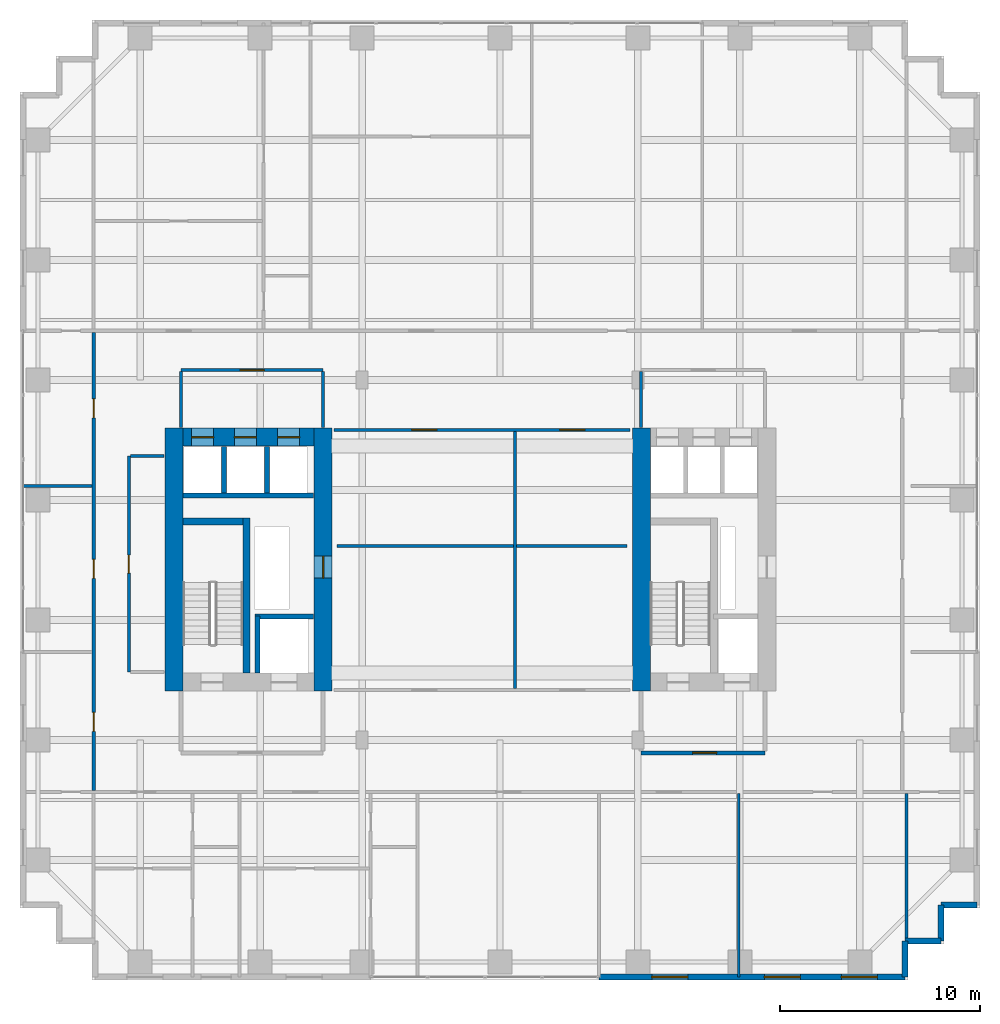
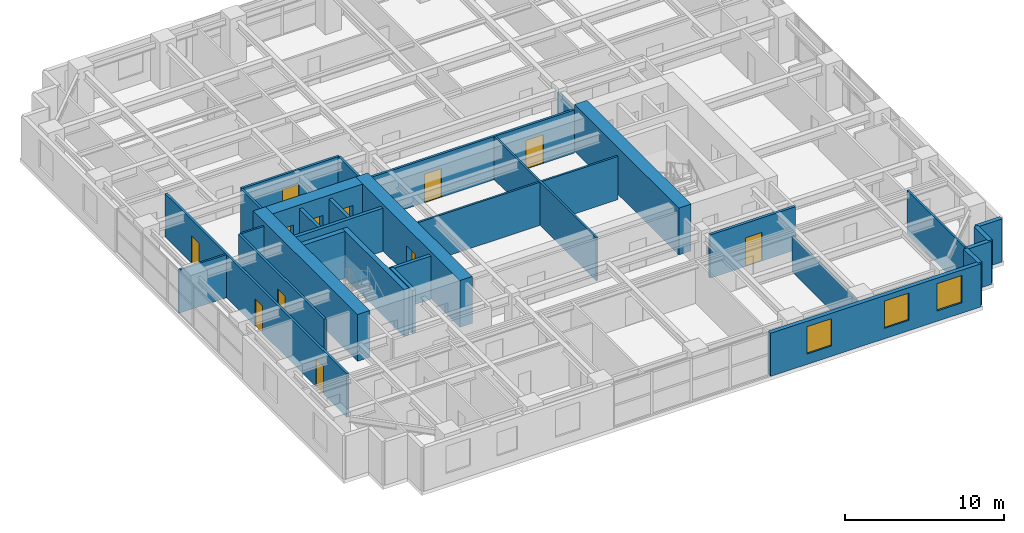
# One storey, part 21 of 24: 30 walls, 12 doors, 3 windows, 15 openings.
"""IFC4 building model written with IfcOpenShell, lengths in metres."""

from ifc_helpers import new_model, si_unit, direction, frame, frame_2d, origin, place, context, subcontext, project, spatial, rectangle, extrude, source, transform, mapped, material, layer, layer_set, type_object, element, fill, save


model = new_model("IFC4")

# Units and contexts
model_context = context("Model", 3, precision=1e-05, world=origin(), true_north=direction((0.0, 1.0)))
body_context = subcontext(model_context, "Body", "Model", "MODEL_VIEW")
ifc_project = project(units=[si_unit("LENGTHUNIT", "METRE"), si_unit("AREAUNIT", "SQUARE_METRE"), si_unit("VOLUMEUNIT", "CUBIC_METRE"), si_unit("PLANEANGLEUNIT", "RADIAN"), si_unit("MASSUNIT", "GRAM", prefix="KILO")], contexts=[model_context])

# Site, building, storey
site_placement = place(None, origin())
site = spatial("IfcSite", under=ifc_project, at=site_placement, CompositionType="ELEMENT")
building_placement = place(site_placement, origin())
building = spatial("IfcBuilding", under=site, at=building_placement, Name="Khoralis Quay Care Tower", CompositionType="ELEMENT")
storey_placement = place(building_placement, frame((0.0, 0.0, 62.10009765625)))
storey = spatial("IfcBuildingStorey", under=building, at=storey_placement, Name="L16", CompositionType="ELEMENT", Elevation=62.10009765625)

# Wall, opening, door
ifc_material_1 = material(Name="Gypsum plasterboard on acoustic metal stud")
ifc_layer_1 = layer(ifc_material_1, 0.199951171875)
ifc_layer_set_1 = layer_set([ifc_layer_1], Name="Gypsum plasterboard on acoustic metal stud")
wall_type_1 = type_object("IfcWallType", Name="WL-COMP-200", PredefinedType="PARTITIONING", material=ifc_layer_set_1)
wall_1_placement = place(storey_placement, frame((31.050048828125, 11.35009765625, 0.0), z_axis=(0.0, 0.0, 1.0), x_axis=(1.0, 0.0, 0.0)))
wall_1 = element("IfcWall", 1, at=wall_1_placement, inside=storey, type_object=wall_type_1, Name="L16 East Firefighting Lobby South Wall", PredefinedType="PARTITIONING", context=body_context, shape_type="SweptSolid", body=[
    extrude(rectangle(XDim=6.199951171875, YDim=0.199951171875, at=frame_2d((3.10009765625, 0.0))), origin(), (0.0, 0.0, 1.0), 3.31982421875),
])
opening_1_placement = place(wall_1_placement, frame((2.585693359375, 0.0, 0.0)))
opening_1 = element("IfcOpeningElement", 2, at=opening_1_placement, cuts=wall_1, Name="Opening FD1", PredefinedType="OPENING", context=body_context, shape_type="SweptSolid", body=[
    extrude(rectangle(XDim=1.199951171875, YDim=2.199951171875, at=frame_2d((0.60009765625, 1.10009765625))), frame((0.0, 0.10986328125, 0.0), z_axis=(0.0, -1.0, 0.0), x_axis=(1.0, 0.0, 0.0)), (0.0, 0.0, 1.0), 0.219970703125),
])
ifc_material_2 = material(Name="Fire-rated painted steel", Category="steel")
door_type_1 = type_object("IfcDoorType", Name="DR-FFL-1200X2200", OperationType="NOTDEFINED", PredefinedType="DOOR", material=ifc_material_2)
shared_shape_1 = source(origin(), body_context, "Body", "SweptSolid", [
    extrude(rectangle(XDim=1.199951171875, YDim=2.199951171875, at=frame_2d((0.60009765625, 1.10009765625))), frame((0.0, 0.02490234375, 0.0), z_axis=(0.0, -1.0, 0.0), x_axis=(1.0, 0.0, 0.0)), (0.0, 0.0, 1.0), 0.050048828125),
])
door_1_placement = place(opening_1_placement, origin())
door_1 = element("IfcDoor", 3, at=door_1_placement, inside=storey, type_object=door_type_1, Name="L16 East Firefighting Lobby Fire Door", OperationType="SINGLE_SWING_LEFT", OverallHeight=2.199951171875, OverallWidth=1.199951171875, PredefinedType="DOOR", context=body_context, shape_type="MappedRepresentation", body=[
    mapped(shared_shape_1, transform((0.0, 0.0, 0.0), scale=1.0)),
])
fill(opening_1, door_1)

# Wall
ifc_material_3 = material(Name="Concrete C80/95", Category="concrete")
ifc_layer_2 = layer(ifc_material_3, 0.89990234375)
ifc_layer_set_2 = layer_set([ifc_layer_2], Name="Concrete C80/95")
wall_type_2 = type_object("IfcWallType", Name="WL-CORE-900", PredefinedType="SHEAR", material=ifc_layer_set_2)
wall_2_placement = place(storey_placement, frame((7.699951171875, 14.449951171875, 0.0), z_axis=(0.0, 0.0, 1.0), x_axis=(0.0, 1.0, 0.0)))
element("IfcWall", 4, at=wall_2_placement, inside=storey, type_object=wall_type_2, Name="L16 WCORE West Shear Wall", PredefinedType="SHEAR", context=body_context, shape_type="SweptSolid", body=[
    extrude(rectangle(XDim=13.150146484375, YDim=0.89990234375, at=frame_2d((6.5751953125, 0.0))), origin(), (0.0, 0.0, 1.0), 3.599853515625),
])

# Wall, opening, door
wall_3_placement = place(storey_placement, frame((15.14990234375, 14.449951171875, 0.0), z_axis=(0.0, 0.0, 1.0), x_axis=(0.0, 1.0, 0.0)))
wall_3 = element("IfcWall", 5, at=wall_3_placement, inside=storey, type_object=wall_type_2, Name="L16 WCORE East Shear Wall", PredefinedType="SHEAR", context=body_context, shape_type="SweptSolid", body=[
    extrude(rectangle(XDim=13.150146484375, YDim=0.89990234375, at=frame_2d((6.5751953125, 0.0))), origin(), (0.0, 0.0, 1.0), 3.599853515625),
])
opening_2_placement = place(wall_3_placement, frame((5.64990234375, 0.0, 0.0)))
opening_2 = element("IfcOpeningElement", 6, at=opening_2_placement, cuts=wall_3, Name="Opening SD1", PredefinedType="OPENING", context=body_context, shape_type="SweptSolid", body=[
    extrude(rectangle(XDim=1.10009765625, YDim=2.199951171875, at=frame_2d((0.550048828125, 1.10009765625))), frame((0.0, 0.4599609375, 0.0), z_axis=(0.0, -1.0, 0.0), x_axis=(1.0, 0.0, 0.0)), (0.0, 0.0, 1.0), 0.919921875),
])
door_type_2 = type_object("IfcDoorType", Name="DR-STAIR-1100X2200", OperationType="NOTDEFINED", PredefinedType="DOOR", material=ifc_material_2)
shared_shape_2 = source(origin(), body_context, "Body", "SweptSolid", [
    extrude(rectangle(XDim=1.10009765625, YDim=2.199951171875, at=frame_2d((0.550048828125, 1.10009765625))), frame((0.0, 0.02490234375, 0.0), z_axis=(0.0, -1.0, 0.0), x_axis=(1.0, 0.0, 0.0)), (0.0, 0.0, 1.0), 0.050048828125),
])
door_2_placement = place(opening_2_placement, origin())
door_2 = element("IfcDoor", 7, at=door_2_placement, inside=storey, type_object=door_type_2, Name="L16 West MEP Riser Door", OperationType="SINGLE_SWING_RIGHT", OverallHeight=2.199951171875, OverallWidth=1.10009765625, PredefinedType="DOOR", context=body_context, shape_type="MappedRepresentation", body=[
    mapped(shared_shape_2, transform((0.0, 0.0, 0.0), scale=1.0)),
])
fill(opening_2, door_2)

# Wall, openings, doors
wall_4_placement = place(storey_placement, frame((8.14990234375, 27.14990234375, 0.0), z_axis=(0.0, 0.0, 1.0), x_axis=(1.0, 0.0, 0.0)))
wall_4 = element("IfcWall", 8, at=wall_4_placement, inside=storey, type_object=wall_type_2, Name="L16 WCORE North Shear Wall", PredefinedType="SHEAR", context=body_context, shape_type="SweptSolid", body=[
    extrude(rectangle(XDim=6.550048828125, YDim=0.89990234375, at=frame_2d((3.27490234375, 0.0))), origin(), (0.0, 0.0, 1.0), 3.599853515625),
])
opening_3_placement = place(wall_4_placement, frame((0.429931640625, 0.0, 0.0)))
opening_3 = element("IfcOpeningElement", 9, at=opening_3_placement, cuts=wall_4, Name="Opening LD1", PredefinedType="OPENING", context=body_context, shape_type="SweptSolid", body=[
    extrude(rectangle(XDim=1.10009765625, YDim=2.199951171875, at=frame_2d((0.550048828125, 1.10009765625))), frame((0.0, 0.4599609375, 0.0), z_axis=(0.0, -1.0, 0.0), x_axis=(1.0, 0.0, 0.0)), (0.0, 0.0, 1.0), 0.919921875),
])
opening_4_placement = place(wall_4_placement, frame((2.570068359375, 0.0, 0.0)))
opening_4 = element("IfcOpeningElement", 10, at=opening_4_placement, cuts=wall_4, Name="Opening LD1", PredefinedType="OPENING", context=body_context, shape_type="SweptSolid", body=[
    extrude(rectangle(XDim=1.10009765625, YDim=2.199951171875, at=frame_2d((0.550048828125, 1.10009765625))), frame((0.0, 0.4599609375, 0.0), z_axis=(0.0, -1.0, 0.0), x_axis=(1.0, 0.0, 0.0)), (0.0, 0.0, 1.0), 0.919921875),
])
opening_5_placement = place(wall_4_placement, frame((4.72998046875, 0.0, 0.0)))
opening_5 = element("IfcOpeningElement", 11, at=opening_5_placement, cuts=wall_4, Name="Opening LD1", PredefinedType="OPENING", context=body_context, shape_type="SweptSolid", body=[
    extrude(rectangle(XDim=1.10009765625, YDim=2.199951171875, at=frame_2d((0.550048828125, 1.10009765625))), frame((0.0, 0.4599609375, 0.0), z_axis=(0.0, -1.0, 0.0), x_axis=(1.0, 0.0, 0.0)), (0.0, 0.0, 1.0), 0.919921875),
])
ifc_material_4 = material(Name="Brushed stainless steel", Category="steel")
door_type_3 = type_object("IfcDoorType", Name="DR-LIFT-1100X2200", OperationType="SLIDING_TO_LEFT", PredefinedType="DOOR", material=ifc_material_4)
shared_shape_3 = source(origin(), body_context, "Body", "SweptSolid", [
    extrude(rectangle(XDim=1.10009765625, YDim=2.199951171875, at=frame_2d((0.550048828125, 1.10009765625))), frame((0.0, 0.02490234375, 0.0), z_axis=(0.0, -1.0, 0.0), x_axis=(1.0, 0.0, 0.0)), (0.0, 0.0, 1.0), 0.050048828125),
])
door_3_placement = place(opening_3_placement, origin())
door_3 = element("IfcDoor", 12, at=door_3_placement, inside=storey, type_object=door_type_3, Name="L16 Lift PLL1 Landing Door", OperationType="SLIDING_TO_LEFT", OverallHeight=2.199951171875, OverallWidth=1.10009765625, PredefinedType="DOOR", context=body_context, shape_type="MappedRepresentation", body=[
    mapped(shared_shape_3, transform((0.0, 0.0, 0.0), scale=1.0)),
])
fill(opening_3, door_3)
door_4_placement = place(opening_4_placement, origin())
door_4 = element("IfcDoor", 13, at=door_4_placement, inside=storey, type_object=door_type_3, Name="L16 Lift PLM1 Landing Door", OperationType="SLIDING_TO_LEFT", OverallHeight=2.199951171875, OverallWidth=1.10009765625, PredefinedType="DOOR", context=body_context, shape_type="MappedRepresentation", body=[
    mapped(shared_shape_3, transform((0.0, 0.0, 0.0), scale=1.0)),
])
fill(opening_4, door_4)
door_5_placement = place(opening_5_placement, origin())
door_5 = element("IfcDoor", 14, at=door_5_placement, inside=storey, type_object=door_type_3, Name="L16 Lift PLH1 Landing Door", OperationType="SLIDING_TO_LEFT", OverallHeight=2.199951171875, OverallWidth=1.10009765625, PredefinedType="DOOR", context=body_context, shape_type="MappedRepresentation", body=[
    mapped(shared_shape_3, transform((0.0, 0.0, 0.0), scale=1.0)),
])
fill(opening_5, door_5)

# Wall
wall_5_placement = place(storey_placement, frame((31.070068359375, 14.449951171875, 0.0), z_axis=(0.0, 0.0, 1.0), x_axis=(0.0, 1.0, 0.0)))
element("IfcWall", 15, at=wall_5_placement, inside=storey, type_object=wall_type_2, Name="L16 ECORE West Shear Wall", PredefinedType="SHEAR", context=body_context, shape_type="SweptSolid", body=[
    extrude(rectangle(XDim=13.150146484375, YDim=0.89990234375, at=frame_2d((6.5751953125, 0.0))), origin(), (0.0, 0.0, 1.0), 3.599853515625),
])

# Wall, opening, door
ifc_layer_3 = layer(ifc_material_1, 0.1650390625)
ifc_layer_set_3 = layer_set([ifc_layer_3], Name="Gypsum plasterboard on acoustic metal stud")
wall_type_3 = type_object("IfcWallType", Name="WL-CORR-165", PredefinedType="PARTITIONING", material=ifc_layer_set_3)
wall_6_placement = place(storey_placement, frame((8.050048828125, 30.5, 0.0), z_axis=(0.0, 0.0, 1.0), x_axis=(1.0, 0.0, 0.0)))
wall_6 = element("IfcWall", 16, at=wall_6_placement, inside=storey, type_object=wall_type_3, Name="L16 West Lift Lobby North Wall", PredefinedType="PARTITIONING", context=body_context, shape_type="SweptSolid", body=[
    extrude(rectangle(XDim=7.099853515625, YDim=0.1650390625, at=frame_2d((3.5498046875, 0.0))), origin(), (0.0, 0.0, 1.0), 3.31982421875),
])
opening_6_placement = place(wall_6_placement, frame((2.949951171875, 0.0, 0.0)))
opening_6 = element("IfcOpeningElement", 17, at=opening_6_placement, cuts=wall_6, Name="Opening FD1", PredefinedType="OPENING", context=body_context, shape_type="SweptSolid", body=[
    extrude(rectangle(XDim=1.199951171875, YDim=2.199951171875, at=frame_2d((0.60009765625, 1.10009765625))), frame((0.0, 0.092529296875, 0.0), z_axis=(0.0, -1.0, 0.0), x_axis=(1.0, 0.0, 0.0)), (0.0, 0.0, 1.0), 0.18505859375),
])
door_6_placement = place(opening_6_placement, origin())
door_6 = element("IfcDoor", 18, at=door_6_placement, inside=storey, type_object=door_type_1, Name="L16 West Lift Lobby Double Door", OperationType="DOUBLE_DOOR_SINGLE_SWING", OverallHeight=2.199951171875, OverallWidth=1.199951171875, PredefinedType="DOOR", context=body_context, shape_type="MappedRepresentation", body=[
    mapped(shared_shape_1, transform((0.0, 0.0, 0.0), scale=1.0)),
])
fill(opening_6, door_6)

# Walls
for number, where, z_axis, x_axis, name in (
    (19, (8.050048828125, 27.6201171875, 0.0), (0.0, 0.0, 1.0), (0.0, 1.0, 0.0), "L16 West Lift Lobby West Wall"),
    (20, (15.14990234375, 27.6201171875, 0.0), (0.0, 0.0, 1.0), (0.0, 1.0, 0.0), "L16 West Lift Lobby East Wall"),
):
    element("IfcWall", number, at=place(storey_placement, frame(where, z_axis=z_axis, x_axis=x_axis)), inside=storey, type_object=wall_type_3, Name=name, PredefinedType="PARTITIONING", context=body_context, shape_type="SweptSolid", body=[
        extrude(rectangle(XDim=2.802490234375, YDim=0.1650390625, at=frame_2d((1.4013671875, 0.0))), origin(), (0.0, 0.0, 1.0), 3.31982421875),
    ])
wall_7_placement = place(storey_placement, frame((31.050048828125, 27.6201171875, 0.0), z_axis=(0.0, 0.0, 1.0), x_axis=(0.0, 1.0, 0.0)))
element("IfcWall", 21, at=wall_7_placement, inside=storey, type_object=wall_type_3, Name="L16 East Lift Lobby West Wall", PredefinedType="PARTITIONING", context=body_context, shape_type="SweptSolid", body=[
    extrude(rectangle(XDim=2.802490234375, YDim=0.1650390625, at=frame_2d((1.4013671875, 0.0))), origin(), (0.0, 0.0, 1.0), 2.703857421875),
])

# Wall, opening, door
wall_8_placement = place(storey_placement, frame((5.449951171875, 15.39990234375, 0.0), z_axis=(0.0, 0.0, 1.0), x_axis=(0.0, 1.0, 0.0)))
wall_8 = element("IfcWall", 22, at=wall_8_placement, inside=storey, type_object=wall_type_3, Name="L16 West Core Service Flank Wall", PredefinedType="PARTITIONING", context=body_context, shape_type="SweptSolid", body=[
    extrude(rectangle(XDim=10.800048828125, YDim=0.1650390625, at=frame_2d((5.39990234375, 0.0))), origin(), (0.0, 0.0, 1.0), 3.31982421875),
])
opening_7_placement = place(wall_8_placement, frame((4.949951171875, 0.0, 0.0)))
opening_7 = element("IfcOpeningElement", 23, at=opening_7_placement, cuts=wall_8, Name="Opening WD1", PredefinedType="OPENING", context=body_context, shape_type="SweptSolid", body=[
    extrude(rectangle(XDim=0.89990234375, YDim=2.10009765625, at=frame_2d((0.449951171875, 1.050048828125))), frame((0.0, 0.092529296875, 0.0), z_axis=(0.0, -1.0, 0.0), x_axis=(1.0, 0.0, 0.0)), (0.0, 0.0, 1.0), 0.18505859375),
])
ifc_material_5 = material(Name="Acoustic hardwood timber", Category="wood")
door_type_4 = type_object("IfcDoorType", Name="DR-BATH-900X2100", OperationType="NOTDEFINED", PredefinedType="DOOR", material=ifc_material_5)
shared_shape_4 = source(origin(), body_context, "Body", "SweptSolid", [
    extrude(rectangle(XDim=0.89990234375, YDim=2.10009765625, at=frame_2d((0.449951171875, 1.050048828125))), frame((0.0, 0.02490234375, 0.0), z_axis=(0.0, -1.0, 0.0), x_axis=(1.0, 0.0, 0.0)), (0.0, 0.0, 1.0), 0.050048828125),
])
door_7_placement = place(opening_7_placement, frame((0.89990234375, 0.0, 0.0), z_axis=(0.0, 0.0, 1.0), x_axis=(-1.0, 0.0, 0.0)))
door_7 = element("IfcDoor", 24, at=door_7_placement, inside=storey, type_object=door_type_4, Name="L16 Housekeeping & Public Accessible WC Door", OperationType="SINGLE_SWING_LEFT", OverallHeight=2.10009765625, OverallWidth=0.89990234375, PredefinedType="DOOR", context=body_context, shape_type="MappedRepresentation", body=[
    mapped(shared_shape_4, transform((0.0, 0.0, 0.0), scale=1.0)),
])
fill(opening_7, door_7)

# Wall, openings, doors
wall_9_placement = place(storey_placement, frame((3.679931640625, 9.4775390625, 0.0), z_axis=(0.0, 0.0, 1.0), x_axis=(0.0, 1.0, 0.0)))
wall_9 = element("IfcWall", 25, at=wall_9_placement, inside=storey, type_object=wall_type_3, Name="L16 West Loop Corridor Wall", PredefinedType="PARTITIONING", context=body_context, shape_type="SweptSolid", body=[
    extrude(rectangle(XDim=22.905029296875, YDim=0.1650390625, at=frame_2d((11.45263671875, 0.0))), origin(), (0.0, 0.0, 1.0), 3.31982421875),
])
opening_8_placement = place(wall_9_placement, frame((2.947509765625, 0.0, 0.0)))
opening_8 = element("IfcOpeningElement", 26, at=opening_8_placement, cuts=wall_9, Name="Opening ID1", PredefinedType="OPENING", context=body_context, shape_type="SweptSolid", body=[
    extrude(rectangle(XDim=0.949951171875, YDim=2.10009765625, at=frame_2d((0.47509765625, 1.050048828125))), frame((0.0, 0.092529296875, 0.0), z_axis=(0.0, -1.0, 0.0), x_axis=(1.0, 0.0, 0.0)), (0.0, 0.0, 1.0), 0.18505859375),
])
opening_9_placement = place(wall_9_placement, frame((10.597412109375, 0.0, 0.0)))
opening_9 = element("IfcOpeningElement", 27, at=opening_9_placement, cuts=wall_9, Name="Opening ID1", PredefinedType="OPENING", context=body_context, shape_type="SweptSolid", body=[
    extrude(rectangle(XDim=0.949951171875, YDim=2.10009765625, at=frame_2d((0.47509765625, 1.050048828125))), frame((0.0, 0.092529296875, 0.0), z_axis=(0.0, -1.0, 0.0), x_axis=(1.0, 0.0, 0.0)), (0.0, 0.0, 1.0), 0.18505859375),
])
opening_10_placement = place(wall_9_placement, frame((18.62744140625, 0.0, 0.0)))
opening_10 = element("IfcOpeningElement", 28, at=opening_10_placement, cuts=wall_9, Name="Opening ID1", PredefinedType="OPENING", context=body_context, shape_type="SweptSolid", body=[
    extrude(rectangle(XDim=0.949951171875, YDim=2.10009765625, at=frame_2d((0.47509765625, 1.050048828125))), frame((0.0, 0.092529296875, 0.0), z_axis=(0.0, -1.0, 0.0), x_axis=(1.0, 0.0, 0.0)), (0.0, 0.0, 1.0), 0.18505859375),
])
door_type_5 = type_object("IfcDoorType", Name="DR-ROOM-950X2100", OperationType="NOTDEFINED", PredefinedType="DOOR", material=ifc_material_5)
shared_shape_5 = source(origin(), body_context, "Body", "SweptSolid", [
    extrude(rectangle(XDim=0.949951171875, YDim=2.10009765625, at=frame_2d((0.47509765625, 1.050048828125))), frame((0.0, 0.02490234375, 0.0), z_axis=(0.0, -1.0, 0.0), x_axis=(1.0, 0.0, 0.0)), (0.0, 0.0, 1.0), 0.050048828125),
])
door_8_placement = place(opening_8_placement, origin())
door_8 = element("IfcDoor", 29, at=door_8_placement, inside=storey, type_object=door_type_5, Name="L16 Therapy Consultation Room Door", OperationType="SINGLE_SWING_LEFT", OverallHeight=2.10009765625, OverallWidth=0.949951171875, PredefinedType="DOOR", context=body_context, shape_type="MappedRepresentation", body=[
    mapped(shared_shape_5, transform((0.0, 0.0, 0.0), scale=1.0)),
])
fill(opening_8, door_8)
door_9_placement = place(opening_9_placement, origin())
door_9 = element("IfcDoor", 30, at=door_9_placement, inside=storey, type_object=door_type_5, Name="L16 Assisted Activity Lounge Door", OperationType="SINGLE_SWING_RIGHT", OverallHeight=2.10009765625, OverallWidth=0.949951171875, PredefinedType="DOOR", context=body_context, shape_type="MappedRepresentation", body=[
    mapped(shared_shape_5, transform((0.0, 0.0, 0.0), scale=1.0)),
])
fill(opening_9, door_9)
door_10_placement = place(opening_10_placement, origin())
door_10 = element("IfcDoor", 31, at=door_10_placement, inside=storey, type_object=door_type_5, Name="L16 Nurse Charting Office Door", OperationType="SINGLE_SWING_LEFT", OverallHeight=2.10009765625, OverallWidth=0.949951171875, PredefinedType="DOOR", context=body_context, shape_type="MappedRepresentation", body=[
    mapped(shared_shape_5, transform((0.0, 0.0, 0.0), scale=1.0)),
])
fill(opening_10, door_10)

wall_10_placement = place(storey_placement, frame((15.699951171875, 27.5, 0.0), z_axis=(0.0, 0.0, 1.0), x_axis=(1.0, 0.0, 0.0)))
wall_10 = element("IfcWall", 32, at=wall_10_placement, inside=storey, type_object=wall_type_3, Name="L16 Central Clinical North Wall", PredefinedType="PARTITIONING", context=body_context, shape_type="SweptSolid", body=[
    extrude(rectangle(XDim=14.800048828125, YDim=0.1650390625, at=frame_2d((7.39990234375, 0.0))), origin(), (0.0, 0.0, 1.0), 3.31982421875),
])
opening_11_placement = place(wall_10_placement, frame((3.89990234375, 0.0, 0.0)))
opening_11 = element("IfcOpeningElement", 33, at=opening_11_placement, cuts=wall_10, Name="Opening CD1", PredefinedType="OPENING", context=body_context, shape_type="SweptSolid", body=[
    extrude(rectangle(XDim=1.25, YDim=2.199951171875, at=frame_2d((0.625, 1.10009765625))), frame((0.0, 0.092529296875, 0.0), z_axis=(0.0, -1.0, 0.0), x_axis=(1.0, 0.0, 0.0)), (0.0, 0.0, 1.0), 0.18505859375),
])
opening_12_placement = place(wall_10_placement, frame((11.300048828125, 0.0, 0.0)))
opening_12 = element("IfcOpeningElement", 34, at=opening_12_placement, cuts=wall_10, Name="Opening CD1", PredefinedType="OPENING", context=body_context, shape_type="SweptSolid", body=[
    extrude(rectangle(XDim=1.25, YDim=2.199951171875, at=frame_2d((0.625, 1.10009765625))), frame((0.0, 0.092529296875, 0.0), z_axis=(0.0, -1.0, 0.0), x_axis=(1.0, 0.0, 0.0)), (0.0, 0.0, 1.0), 0.18505859375),
])
door_type_6 = type_object("IfcDoorType", Name="DR-CARE-1250X2200", OperationType="NOTDEFINED", PredefinedType="DOOR", material=ifc_material_5)
shared_shape_6 = source(origin(), body_context, "Body", "SweptSolid", [
    extrude(rectangle(XDim=1.25, YDim=2.199951171875, at=frame_2d((0.625, 1.10009765625))), frame((0.0, 0.02490234375, 0.0), z_axis=(0.0, -1.0, 0.0), x_axis=(1.0, 0.0, 0.0)), (0.0, 0.0, 1.0), 0.050048828125),
])
door_11_placement = place(opening_11_placement, frame((1.25, 0.0, 0.0), z_axis=(0.0, 0.0, 1.0), x_axis=(-1.0, 0.0, 0.0)))
door_11 = element("IfcDoor", 35, at=door_11_placement, inside=storey, type_object=door_type_6, Name="L16 Library Lounge Door", OperationType="SINGLE_SWING_LEFT", OverallHeight=2.199951171875, OverallWidth=1.25, PredefinedType="DOOR", context=body_context, shape_type="MappedRepresentation", body=[
    mapped(shared_shape_6, transform((0.0, 0.0, 0.0), scale=1.0)),
])
fill(opening_11, door_11)
door_12_placement = place(opening_12_placement, frame((1.25, 0.0, 0.0), z_axis=(0.0, 0.0, 1.0), x_axis=(-1.0, 0.0, 0.0)))
door_12 = element("IfcDoor", 36, at=door_12_placement, inside=storey, type_object=door_type_6, Name="L16 Occupational Therapy Door", OperationType="SINGLE_SWING_RIGHT", OverallHeight=2.199951171875, OverallWidth=1.25, PredefinedType="DOOR", context=body_context, shape_type="MappedRepresentation", body=[
    mapped(shared_shape_6, transform((0.0, 0.0, 0.0), scale=1.0)),
])
fill(opening_12, door_12)

# Wall, openings, windows
ifc_material_6 = material(Name="Precast concrete C45/55", Category="concrete")
ifc_layer_4 = layer(ifc_material_6, 0.300048828125)
ifc_layer_set_4 = layer_set([ifc_layer_4], Name="Precast concrete C45/55")
wall_type_4 = type_object("IfcWallType", Name="WL-EXT-REF-300", PredefinedType="SOLIDWALL", material=ifc_layer_set_4)
wall_11_placement = place(storey_placement, frame((28.949951171875, 0.14990234375, 0.0), z_axis=(0.0, 0.0, 1.0), x_axis=(1.0, 0.0, 0.0)))
wall_11 = element("IfcWall", 37, at=wall_11_placement, inside=storey, type_object=wall_type_4, Name="L16 External Facade Wall WL-EXT-L16-P1-E0B", PredefinedType="SOLIDWALL", context=body_context, shape_type="SweptSolid", body=[
    extrude(rectangle(XDim=15.300048828125, YDim=0.300048828125, at=frame_2d((7.64990234375, 0.0))), origin(), (0.0, 0.0, 1.0), 3.31982421875),
])
opening_13_placement = place(wall_11_placement, frame((2.64501953125, 0.0, 0.800048828125)))
opening_13 = element("IfcOpeningElement", 38, at=opening_13_placement, cuts=wall_11, Name="Opening W2", PredefinedType="OPENING", context=body_context, shape_type="SweptSolid", body=[
    extrude(rectangle(XDim=1.800048828125, YDim=2.10009765625, at=frame_2d((0.89990234375, 1.050048828125))), frame((0.0, 0.16015625, 0.0), z_axis=(0.0, -1.0, 0.0), x_axis=(1.0, 0.0, 0.0)), (0.0, 0.0, 1.0), 0.320068359375),
])
opening_14_placement = place(wall_11_placement, frame((8.2724609375, 0.0, 0.800048828125)))
opening_14 = element("IfcOpeningElement", 39, at=opening_14_placement, cuts=wall_11, Name="Opening W2", PredefinedType="OPENING", context=body_context, shape_type="SweptSolid", body=[
    extrude(rectangle(XDim=1.800048828125, YDim=2.10009765625, at=frame_2d((0.89990234375, 1.050048828125))), frame((0.0, 0.16015625, 0.0), z_axis=(0.0, -1.0, 0.0), x_axis=(1.0, 0.0, 0.0)), (0.0, 0.0, 1.0), 0.320068359375),
])
opening_15_placement = place(wall_11_placement, frame((12.117431640625, 0.0, 0.800048828125)))
opening_15 = element("IfcOpeningElement", 40, at=opening_15_placement, cuts=wall_11, Name="Opening W2", PredefinedType="OPENING", context=body_context, shape_type="SweptSolid", body=[
    extrude(rectangle(XDim=1.800048828125, YDim=2.10009765625, at=frame_2d((0.89990234375, 1.050048828125))), frame((0.0, 0.16015625, 0.0), z_axis=(0.0, -1.0, 0.0), x_axis=(1.0, 0.0, 0.0)), (0.0, 0.0, 1.0), 0.320068359375),
])
ifc_material_7 = material(Name="Low-E solar-control double glazing", Category="glass")
window_type = type_object("IfcWindowType", Name="WN-POD-1800X2100", PartitioningType="SINGLE_PANEL", PredefinedType="WINDOW", material=ifc_material_7)
shared_shape_7 = source(origin(), body_context, "Body", "SweptSolid", [
    extrude(rectangle(XDim=1.800048828125, YDim=2.10009765625, at=frame_2d((0.89990234375, 1.050048828125))), frame((0.0, 0.030029296875, 0.0), z_axis=(0.0, -1.0, 0.0), x_axis=(1.0, 0.0, 0.0)), (0.0, 0.0, 1.0), 0.06005859375),
])
window_1_placement = place(opening_13_placement, origin())
window_1 = element("IfcWindow", 41, at=window_1_placement, inside=storey, type_object=window_type, Name="WN-L16-P1-E0B Facade Window 01", OverallHeight=2.10009765625, OverallWidth=1.800048828125, PartitioningType="SINGLE_PANEL", PredefinedType="WINDOW", context=body_context, shape_type="MappedRepresentation", body=[
    mapped(shared_shape_7, transform((0.0, 0.0, 0.0), scale=1.0)),
])
fill(opening_13, window_1)
window_2_placement = place(opening_14_placement, origin())
window_2 = element("IfcWindow", 42, at=window_2_placement, inside=storey, type_object=window_type, Name="WN-L16-P1-E0B Facade Window 02", OverallHeight=2.10009765625, OverallWidth=1.800048828125, PartitioningType="SINGLE_PANEL", PredefinedType="WINDOW", context=body_context, shape_type="MappedRepresentation", body=[
    mapped(shared_shape_7, transform((0.0, 0.0, 0.0), scale=1.0)),
])
fill(opening_14, window_2)
window_3_placement = place(opening_15_placement, origin())
window_3 = element("IfcWindow", 43, at=window_3_placement, inside=storey, type_object=window_type, Name="WN-L16-P1-E0B Facade Window 03", OverallHeight=2.10009765625, OverallWidth=1.800048828125, PartitioningType="SINGLE_PANEL", PredefinedType="WINDOW", context=body_context, shape_type="MappedRepresentation", body=[
    mapped(shared_shape_7, transform((0.0, 0.0, 0.0), scale=1.0)),
])
fill(opening_15, window_3)

# Walls
for number, where, z_axis, x_axis, name in (
    (44, (44.25, 0.14990234375, 0.0), (0.0, 0.0, 1.0), (0.0, 1.0, 0.0), "L16 External Facade Wall WL-EXT-L16-P1-C1"),
    (45, (44.25, 1.949951171875, 0.0), (0.0, 0.0, 1.0), (1.0, 0.0, 0.0), "L16 External Facade Wall WL-EXT-L16-P1-C2"),
    (46, (46.050048828125, 1.949951171875, 0.0), (0.0, 0.0, 1.0), (0.0, 1.0, 0.0), "L16 External Facade Wall WL-EXT-L16-P1-C3"),
    (47, (46.050048828125, 3.75, 0.0), (0.0, 0.0, 1.0), (1.0, 0.0, 0.0), "L16 External Facade Wall WL-EXT-L16-P1-C4"),
):
    element("IfcWall", number, at=place(storey_placement, frame(where, z_axis=z_axis, x_axis=x_axis)), inside=storey, type_object=wall_type_4, Name=name, PredefinedType="SOLIDWALL", context=body_context, shape_type="SweptSolid", body=[
        extrude(rectangle(XDim=1.800048828125, YDim=0.300048828125, at=frame_2d((0.89990234375, 0.0))), origin(), (0.0, 0.0, 1.0), 3.31982421875),
    ])
ifc_material_8 = material(Name="Concrete C40/50", Category="concrete")
ifc_layer_5 = layer(ifc_material_8, 0.35009765625)
ifc_layer_set_5 = layer_set([ifc_layer_5], Name="Concrete C40/50")
wall_type_5 = type_object("IfcWallType", Name="WL-SC-CORE-350", PredefinedType="SHEAR", material=ifc_layer_set_5)
wall_12_placement = place(storey_placement, frame((11.324951171875, 15.35009765625, 0.0), z_axis=(0.0, 0.0, 1.0), x_axis=(0.0, 1.0, 0.0)))
element("IfcWall", 48, at=wall_12_placement, inside=storey, type_object=wall_type_5, Name="L16 Stair ST-T1 Shear Baffle Wall East", PredefinedType="SHEAR", context=body_context, shape_type="SweptSolid", body=[
    extrude(rectangle(XDim=7.75, YDim=0.35009765625, at=frame_2d((3.875, 0.0))), origin(), (0.0, 0.0, 1.0), 3.599853515625),
])
wall_13_placement = place(storey_placement, frame((8.14990234375, 22.925048828125, 0.0), z_axis=(0.0, 0.0, 1.0), x_axis=(1.0, 0.0, 0.0)))
element("IfcWall", 49, at=wall_13_placement, inside=storey, type_object=wall_type_5, Name="L16 Stair ST-T1 Shear Baffle Wall North", PredefinedType="SHEAR", context=body_context, shape_type="SweptSolid", body=[
    extrude(rectangle(XDim=3.0, YDim=0.35009765625, at=frame_2d((1.5, 0.0))), origin(), (0.0, 0.0, 1.0), 3.599853515625),
])
ifc_layer_6 = layer(ifc_material_1, 0.239990234375)
ifc_layer_set_6 = layer_set([ifc_layer_6], Name="Gypsum plasterboard on acoustic metal stud")
wall_type_6 = type_object("IfcWallType", Name="WL-SHAFT-240", PredefinedType="PARTITIONING", material=ifc_layer_set_6)
wall_14_placement = place(storey_placement, frame((11.8798828125, 15.35009765625, 0.0), z_axis=(0.0, 0.0, 1.0), x_axis=(0.0, 1.0, 0.0)))
element("IfcWall", 50, at=wall_14_placement, inside=storey, type_object=wall_type_6, Name="L16 FFL-1 Shaft Wall West", PredefinedType="PARTITIONING", context=body_context, shape_type="SweptSolid", body=[
    extrude(rectangle(XDim=2.849853515625, YDim=0.239990234375, at=frame_2d((1.4248046875, 0.0))), origin(), (0.0, 0.0, 1.0), 3.31982421875),
])
wall_15_placement = place(storey_placement, frame((11.760009765625, 18.169921875, 0.0), z_axis=(0.0, 0.0, 1.0), x_axis=(1.0, 0.0, 0.0)))
element("IfcWall", 51, at=wall_15_placement, inside=storey, type_object=wall_type_6, Name="L16 FFL-1 Shaft Wall North", PredefinedType="PARTITIONING", context=body_context, shape_type="SweptSolid", body=[
    extrude(rectangle(XDim=2.919921875, YDim=0.239990234375, at=frame_2d((1.4599609375, 0.0))), origin(), (0.0, 0.0, 1.0), 3.31982421875),
])
wall_16_placement = place(storey_placement, frame((8.14990234375, 24.22998046875, 0.0), z_axis=(0.0, 0.0, 1.0), x_axis=(1.0, 0.0, 0.0)))
element("IfcWall", 52, at=wall_16_placement, inside=storey, type_object=wall_type_6, Name="L16 West Passenger Shaft South Wall", PredefinedType="PARTITIONING", context=body_context, shape_type="SweptSolid", body=[
    extrude(rectangle(XDim=6.530029296875, YDim=0.239990234375, at=frame_2d((3.26513671875, 0.0))), origin(), (0.0, 0.0, 1.0), 3.31982421875),
])
for number, where, z_axis, x_axis, name in (
    (53, (10.199951171875, 24.344970703125, 0.0), (0.0, 0.0, 1.0), (0.0, 1.0, 0.0), "L16 West Shaft Divider 1"),
    (54, (12.35009765625, 24.344970703125, 0.0), (0.0, 0.0, 1.0), (0.0, 1.0, 0.0), "L16 West Shaft Divider 2"),
):
    element("IfcWall", number, at=place(storey_placement, frame(where, z_axis=z_axis, x_axis=x_axis)), inside=storey, type_object=wall_type_6, Name=name, PredefinedType="PARTITIONING", context=body_context, shape_type="SweptSolid", body=[
        extrude(rectangle(XDim=2.3349609375, YDim=0.239990234375, at=frame_2d((1.16748046875, 0.0))), origin(), (0.0, 0.0, 1.0), 3.31982421875),
    ])
ifc_layer_7 = layer(ifc_material_1, 0.139892578125)
ifc_layer_set_7 = layer_set([ifc_layer_7], Name="Gypsum plasterboard on acoustic metal stud")
wall_type_7 = type_object("IfcWallType", Name="WL-UNIT-140", PredefinedType="PARTITIONING", material=ifc_layer_set_7)
wall_17_placement = place(storey_placement, frame((5.527587890625, 26.199951171875, 0.0), z_axis=(0.0, 0.0, 1.0), x_axis=(1.0, 0.0, 0.0)))
element("IfcWall", 55, at=wall_17_placement, inside=storey, type_object=wall_type_7, Name="L16 West Flank North Cap", PredefinedType="PARTITIONING", context=body_context, shape_type="SweptSolid", body=[
    extrude(rectangle(XDim=1.682373046875, YDim=0.139892578125, at=frame_2d((0.84130859375, 0.0))), origin(), (0.0, 0.0, 1.0), 3.31982421875),
])
wall_18_placement = place(storey_placement, frame((0.14501953125, 24.699951171875, 0.0), z_axis=(0.0, 0.0, 1.0), x_axis=(1.0, 0.0, 0.0)))
element("IfcWall", 56, at=wall_18_placement, inside=storey, type_object=wall_type_7, Name="L16 WW Divider 2", PredefinedType="PARTITIONING", context=body_context, shape_type="SweptSolid", body=[
    extrude(rectangle(XDim=3.45751953125, YDim=0.139892578125, at=frame_2d((1.728759765625, 0.0))), origin(), (0.0, 0.0, 1.0), 3.31982421875),
])
wall_19_placement = place(storey_placement, frame((24.75, 14.577392578125, 0.0), z_axis=(0.0, 0.0, 1.0), x_axis=(0.0, 1.0, 0.0)))
element("IfcWall", 57, at=wall_19_placement, inside=storey, type_object=wall_type_7, Name="L16 Central Split V", PredefinedType="PARTITIONING", context=body_context, shape_type="SweptSolid", body=[
    extrude(rectangle(XDim=12.84521484375, YDim=0.139892578125, at=frame_2d((6.422607421875, 0.0))), origin(), (0.0, 0.0, 1.0), 3.31982421875),
])
wall_20_placement = place(storey_placement, frame((15.85009765625, 21.699951171875, 0.0), z_axis=(0.0, 0.0, 1.0), x_axis=(1.0, 0.0, 0.0)))
element("IfcWall", 58, at=wall_20_placement, inside=storey, type_object=wall_type_7, Name="L16 Central Split H", PredefinedType="PARTITIONING", context=body_context, shape_type="SweptSolid", body=[
    extrude(rectangle(XDim=14.5, YDim=0.139892578125, at=frame_2d((7.25, 0.0))), origin(), (0.0, 0.0, 1.0), 3.31982421875),
])
wall_21_placement = place(storey_placement, frame((35.93994140625, 0.14501953125, 0.0), z_axis=(0.0, 0.0, 1.0), x_axis=(0.0, 1.0, 0.0)))
element("IfcWall", 59, at=wall_21_placement, inside=storey, type_object=wall_type_7, Name="L16 SB Demising Wall 4", PredefinedType="PARTITIONING", context=body_context, shape_type="SweptSolid", body=[
    extrude(rectangle(XDim=9.177490234375, YDim=0.139892578125, at=frame_2d((4.5888671875, 0.0))), origin(), (0.0, 0.0, 1.0), 2.703857421875),
])
wall_22_placement = place(storey_placement, frame((44.320068359375, 1.945068359375, 0.0), z_axis=(0.0, 0.0, 1.0), x_axis=(0.0, 1.0, 0.0)))
element("IfcWall", 60, at=wall_22_placement, inside=storey, type_object=wall_type_7, Name="L16 SB Demising Wall 5", PredefinedType="PARTITIONING", context=body_context, shape_type="SweptSolid", body=[
    extrude(rectangle(XDim=7.37744140625, YDim=0.139892578125, at=frame_2d((3.688720703125, 0.0))), origin(), (0.0, 0.0, 1.0), 3.31982421875),
])

save(model, "model.ifc")
